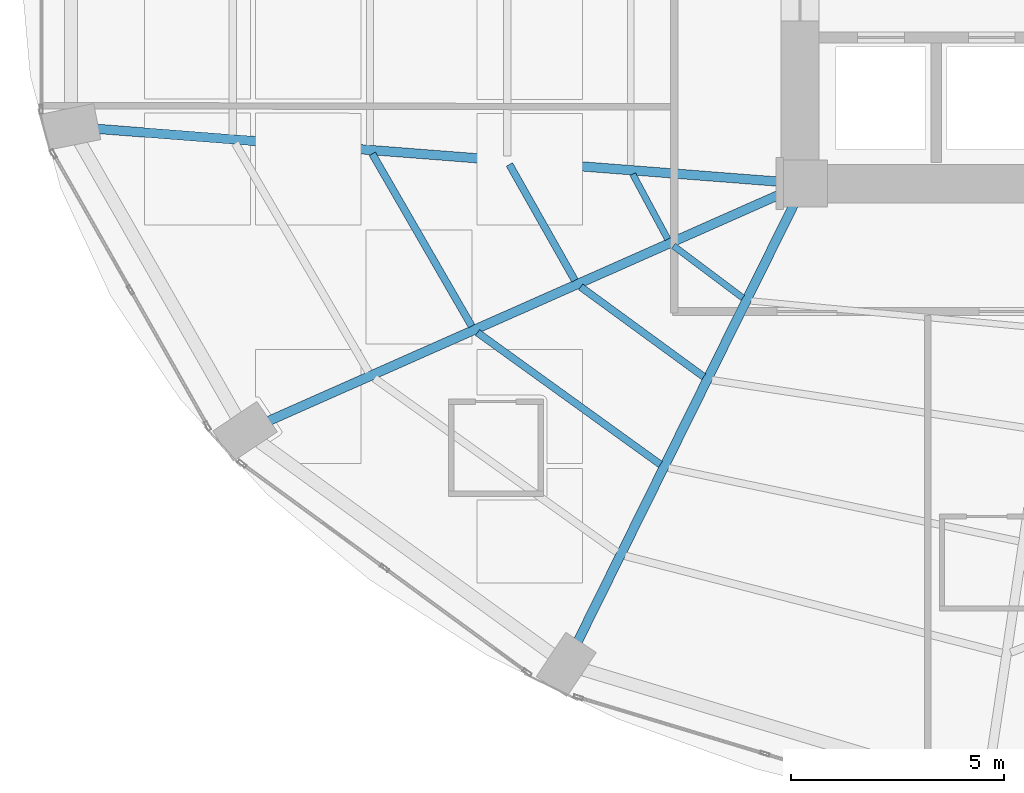
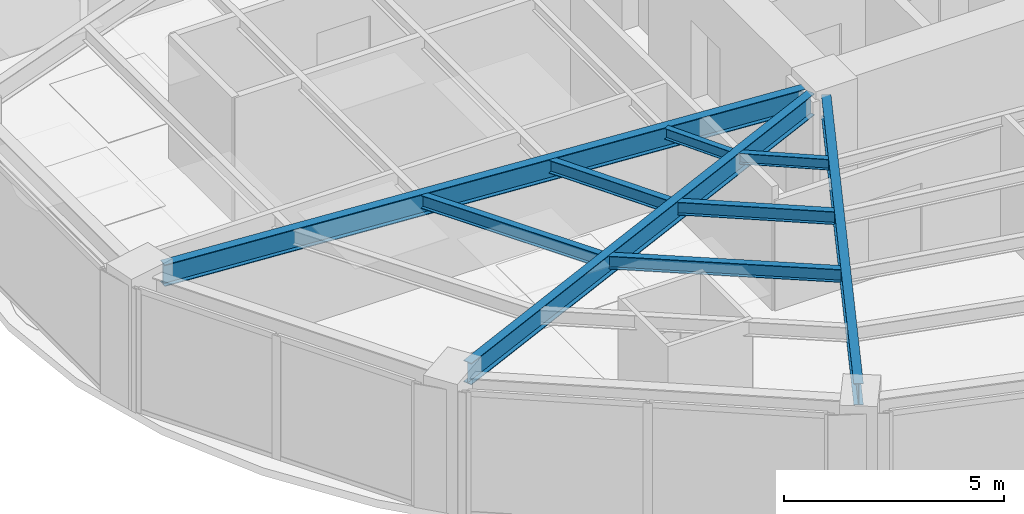
# One storey, part 4 of 25: 9 beams.
"""IFC4 building model written with IfcOpenShell, lengths in metres."""

from ifc_helpers import new_model, si_unit, direction, frame, origin, origin_2d, place, context, subcontext, project, spatial, i_section, extrude, material, material_profile, profile_set, type_object, element, save


model = new_model("IFC4")

# Units and contexts
model_context = context("Model", 3, precision=1e-05, world=origin(), true_north=direction((0.0, 1.0)))
body_context = subcontext(model_context, "Body", "Model", "MODEL_VIEW")
ifc_project = project(units=[si_unit("LENGTHUNIT", "METRE"), si_unit("AREAUNIT", "SQUARE_METRE"), si_unit("VOLUMEUNIT", "CUBIC_METRE"), si_unit("PLANEANGLEUNIT", "RADIAN"), si_unit("MASSUNIT", "GRAM", prefix="KILO")], contexts=[model_context])

# Site, building, storey
site_placement = place(None, origin())
site = spatial("IfcSite", under=ifc_project, at=site_placement, CompositionType="ELEMENT")
building_placement = place(site_placement, origin())
building = spatial("IfcBuilding", under=site, at=building_placement, Name="Lazwardi Medical Tower", CompositionType="ELEMENT")
storey_placement = place(building_placement, frame((0.0, 0.0, 28.847900390625)))
storey = spatial("IfcBuildingStorey", under=building, at=storey_placement, Name="L06", CompositionType="ELEMENT", Elevation=28.847900390625)

# Beams
ifc_material = material(Name="Steel S355", Category="steel")
ifc_material_profile_1 = material_profile(ifc_material, i_section(OverallWidth=0.219970703125, OverallDepth=0.60009765625, WebThickness=0.011962890625, FlangeThickness=0.01904296875, at=origin_2d()), Name="IPE 600")
ifc_profile_set_1 = profile_set([ifc_material_profile_1], Name="Steel S355")
beam_type_1 = type_object("IfcBeamType", Name="BM-RG-W1", PredefinedType="BEAM", material=ifc_profile_set_1)
beam_1_placement = place(storey_placement, frame((9.7783203125, 21.6875, 3.128173828125), z_axis=(0.997013942066, -0.077221754231, 0.0), x_axis=(0.077221754231, 0.997013942066, 0.0)))
element("IfcBeam", 1, at=beam_1_placement, inside=storey, type_object=beam_type_1, Name="Radial girder RG-02 R13 L06", PredefinedType="BEAM", context=body_context, shape_type="SweptSolid", body=[
    extrude(i_section(OverallWidth=0.219970703125, OverallDepth=0.60009765625, WebThickness=0.011962890625, FlangeThickness=0.01904296875, at=origin_2d()), origin(), (0.0, 0.0, 1.0), 16.136474609375),
])
beam_2_placement = place(storey_placement, frame((13.810302734375, 14.82080078125, 3.128173828125), z_axis=(0.914252189566, 0.405145571214, 0.0), x_axis=(-0.405145571214, 0.914252189566, 0.0)))
element("IfcBeam", 2, at=beam_2_placement, inside=storey, type_object=beam_type_1, Name="Radial girder RG-02 R14 L06", PredefinedType="BEAM", context=body_context, shape_type="SweptSolid", body=[
    extrude(i_section(OverallWidth=0.219970703125, OverallDepth=0.60009765625, WebThickness=0.011962890625, FlangeThickness=0.01904296875, at=origin_2d()), origin(), (0.0, 0.0, 1.0), 13.235595703125),
])
beam_3_placement = place(storey_placement, frame((21.076171875, 9.635986328125, 3.128173828125), z_axis=(0.443336723706, 0.896355146922, 0.0), x_axis=(-0.896355146922, 0.443336723706, 0.0)))
element("IfcBeam", 3, at=beam_3_placement, inside=storey, type_object=beam_type_1, Name="Radial girder RG-02 R15 L06", PredefinedType="BEAM", context=body_context, shape_type="SweptSolid", body=[
    extrude(i_section(OverallWidth=0.219970703125, OverallDepth=0.60009765625, WebThickness=0.011962890625, FlangeThickness=0.01904296875, at=origin_2d()), origin(), (0.0, 0.0, 1.0), 11.4736328125),
])
ifc_material_profile_2 = material_profile(ifc_material, i_section(OverallWidth=0.169921875, OverallDepth=0.360107421875, WebThickness=0.008056640625, FlangeThickness=0.0126953125, at=origin_2d()), Name="IPE 360")
ifc_profile_set_2 = profile_set([ifc_material_profile_2], Name="Steel S355")
beam_type_2 = type_object("IfcBeamType", Name="BM-SJ-02", PredefinedType="JOIST", material=ifc_profile_set_2)
beam_4_placement = place(storey_placement, frame((16.26611328125, 21.09814453125, 3.248046875), z_axis=(0.499785866494, -0.866148998529, 0.0), x_axis=(0.866148998529, 0.499785866494, 0.0)))
element("IfcBeam", 4, at=beam_4_placement, inside=storey, type_object=beam_type_2, Name="Secondary joist SJ-02 R2 B13 L06", PredefinedType="JOIST", context=body_context, shape_type="SweptSolid", body=[
    extrude(i_section(OverallWidth=0.169921875, OverallDepth=0.360107421875, WebThickness=0.008056640625, FlangeThickness=0.0126953125, at=origin_2d()), origin(), (0.0, 0.0, 1.0), 4.666015625),
])
beam_5_placement = place(storey_placement, frame((18.73583984375, 16.904296875, 3.248046875), z_axis=(0.811142764961, -0.584848198127, 0.0), x_axis=(0.584848198127, 0.811142764961, 0.0)))
element("IfcBeam", 5, at=beam_5_placement, inside=storey, type_object=beam_type_2, Name="Secondary joist SJ-02 R2 B14 L06", PredefinedType="JOIST", context=body_context, shape_type="SweptSolid", body=[
    extrude(i_section(OverallWidth=0.169921875, OverallDepth=0.360107421875, WebThickness=0.008056640625, FlangeThickness=0.0126953125, at=origin_2d()), origin(), (0.0, 0.0, 1.0), 5.28857421875),
])
beam_6_placement = place(storey_placement, frame((19.48291015625, 20.848388671875, 3.248046875), z_axis=(0.491923287977, -0.870638546554, 0.0), x_axis=(0.870638546554, 0.491923287977, 0.0)))
element("IfcBeam", 6, at=beam_6_placement, inside=storey, type_object=beam_type_2, Name="Secondary joist SJ-02 R3 B13 L06", PredefinedType="JOIST", context=body_context, shape_type="SweptSolid", body=[
    extrude(i_section(OverallWidth=0.169921875, OverallDepth=0.360107421875, WebThickness=0.008056640625, FlangeThickness=0.0126953125, at=origin_2d()), origin(), (0.0, 0.0, 1.0), 3.122802734375),
])
beam_7_placement = place(storey_placement, frame((21.155517578125, 17.976318359375, 3.248046875), z_axis=(0.80770129933, -0.589591902132, 0.0), x_axis=(0.589591902132, 0.80770129933, 0.0)))
element("IfcBeam", 7, at=beam_7_placement, inside=storey, type_object=beam_type_2, Name="Secondary joist SJ-02 R3 B14 L06", PredefinedType="JOIST", context=body_context, shape_type="SweptSolid", body=[
    extrude(i_section(OverallWidth=0.169921875, OverallDepth=0.360107421875, WebThickness=0.008056640625, FlangeThickness=0.0126953125, at=origin_2d()), origin(), (0.0, 0.0, 1.0), 3.5751953125),
])
ifc_material_profile_3 = material_profile(ifc_material, i_section(OverallWidth=0.14990234375, OverallDepth=0.300048828125, WebThickness=0.007080078125, FlangeThickness=0.0107421875, at=origin_2d()), Name="IPE 300")
ifc_profile_set_3 = profile_set([ifc_material_profile_3], Name="Steel S355")
beam_type_3 = type_object("IfcBeamType", Name="BM-SJ-03", PredefinedType="JOIST", material=ifc_profile_set_3)
beam_8_placement = place(storey_placement, frame((22.376953125, 20.623046875, 3.278076171875), z_axis=(0.473982292828, -0.880534375301, 0.0), x_axis=(0.880534375301, 0.473982292828, 0.0)))
element("IfcBeam", 8, at=beam_8_placement, inside=storey, type_object=beam_type_3, Name="Secondary joist SJ-03 R4 B13 L06", PredefinedType="JOIST", context=body_context, shape_type="SweptSolid", body=[
    extrude(i_section(OverallWidth=0.14990234375, OverallDepth=0.300048828125, WebThickness=0.007080078125, FlangeThickness=0.0107421875, at=origin_2d()), origin(), (0.0, 0.0, 1.0), 1.734375),
])
beam_9_placement = place(storey_placement, frame((23.332763671875, 18.9404296875, 3.278076171875), z_axis=(0.800115247939, -0.599846305328, 0.0), x_axis=(0.599846305328, 0.800115247939, 0.0)))
element("IfcBeam", 9, at=beam_9_placement, inside=storey, type_object=beam_type_3, Name="Secondary joist SJ-03 R4 B14 L06", PredefinedType="JOIST", context=body_context, shape_type="SweptSolid", body=[
    extrude(i_section(OverallWidth=0.14990234375, OverallDepth=0.300048828125, WebThickness=0.007080078125, FlangeThickness=0.0107421875, at=origin_2d()), origin(), (0.0, 0.0, 1.0), 2.033447265625),
])

save(model, "model.ifc")
